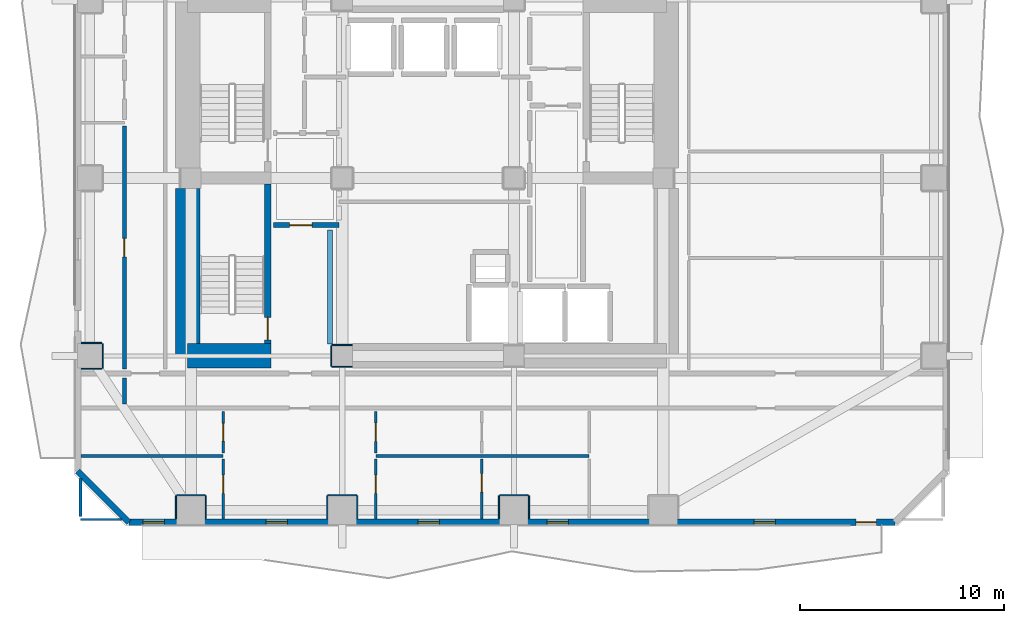
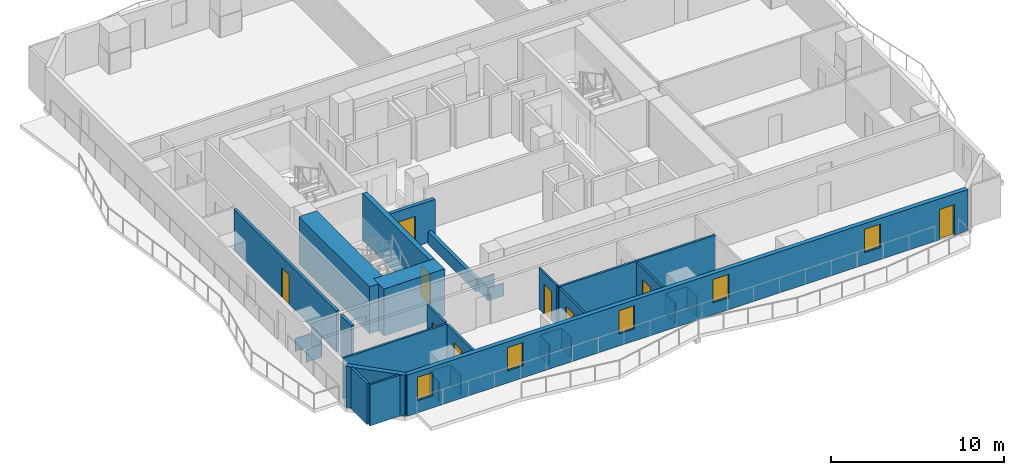
# One storey, part 2 of 10: 33 walls, 9 doors, 5 windows, 14 openings.
"""IFC4 building model written with IfcOpenShell, lengths in metres."""

from ifc_helpers import new_model, si_unit, direction, frame, frame_2d, origin, place, context, subcontext, project, spatial, rectangle, extrude, material, layer, layer_set, type_object, element, fill, save


model = new_model("IFC4")

# Units and contexts
model_context = context("Model", 3, precision=1e-05, world=origin(), true_north=direction((0.0, 1.0)))
body_context = subcontext(model_context, "Body", "Model", "MODEL_VIEW")
ifc_project = project(units=[si_unit("LENGTHUNIT", "METRE"), si_unit("AREAUNIT", "SQUARE_METRE"), si_unit("VOLUMEUNIT", "CUBIC_METRE"), si_unit("PLANEANGLEUNIT", "RADIAN"), si_unit("MASSUNIT", "GRAM", prefix="KILO")], contexts=[model_context])

# Site, building, storey
site_placement = place(None, origin())
site = spatial("IfcSite", under=ifc_project, at=site_placement, CompositionType="ELEMENT")
building_placement = place(site_placement, origin())
building = spatial("IfcBuilding", under=site, at=building_placement, Name="Solanera Arch Residences", CompositionType="ELEMENT")
storey_placement = place(building_placement, frame((0.0, 0.0, 78.43994140625)))
storey = spatial("IfcBuildingStorey", under=building, at=storey_placement, Name="L22", CompositionType="ELEMENT", Elevation=78.43994140625)

# Walls
ifc_material_1 = material(Name="Fire-Rated Gypsum Stud Partition", Category="gypsum")
ifc_layer_1 = layer(ifc_material_1, 0.06005859375)
ifc_layer_set_1 = layer_set([ifc_layer_1], Name="Fire-Rated Gypsum Stud Partition")
wall_type_1 = type_object("IfcWallType", Name="Column Acoustic Furring Wall 60", PredefinedType="PARTITIONING", material=ifc_layer_set_1)
for number, where, z_axis, x_axis, name in (
    (1, (20.300048828125, 21.468017578125, 0.0), (0.0, 0.0, 1.0), (1.0, 0.0, 0.0), "L22 Column Furring 1S"),
    (2, (20.300048828125, 22.531982421875, 0.0), (0.0, 0.0, 1.0), (1.0, 0.0, 0.0), "L22 Column Furring 1N"),
):
    element("IfcWall", number, at=place(storey_placement, frame(where, z_axis=z_axis, x_axis=x_axis)), inside=storey, type_object=wall_type_1, Name=name, PredefinedType="PARTITIONING", context=body_context, shape_type="SweptSolid", body=[
        extrude(rectangle(XDim=0.989990234375, YDim=0.06005859375, at=frame_2d((0.4951171875, 0.0))), origin(), (0.0, 0.0, 1.0), 0.905029296875),
    ])
wall_1_placement = place(storey_placement, frame((20.26806640625, 21.5, 0.0), z_axis=(0.0, 0.0, 1.0), x_axis=(0.0, 1.0, 0.0)))
element("IfcWall", 3, at=wall_1_placement, inside=storey, type_object=wall_type_1, Name="L22 Column Furring 1W", PredefinedType="PARTITIONING", context=body_context, shape_type="SweptSolid", body=[
    extrude(rectangle(XDim=1.0, YDim=0.06005859375, at=frame_2d((0.5, 0.0))), origin(), (0.0, 0.0, 1.0), 0.905029296875),
])
wall_2_placement = place(storey_placement, frame((12.699951171875, 15.181884765625, 0.0), z_axis=(0.0, 0.0, 1.0), x_axis=(1.0, 0.0, 0.0)))
element("IfcWall", 4, at=wall_2_placement, inside=storey, type_object=wall_type_1, Name="L22 Column Furring 9N", PredefinedType="PARTITIONING", context=body_context, shape_type="SweptSolid", body=[
    extrude(rectangle(XDim=1.400146484375, YDim=0.06005859375, at=frame_2d((0.7001953125, 0.0))), origin(), (0.0, 0.0, 1.0), 1.449951171875),
])
for number, where, z_axis, x_axis, name in (
    (5, (12.66796875, 14.030029296875, 0.0), (0.0, 0.0, 1.0), (0.0, 1.0, 0.0), "L22 Column Furring 9W"),
    (6, (14.132080078125, 14.030029296875, 0.0), (0.0, 0.0, 1.0), (0.0, 1.0, 0.0), "L22 Column Furring 9E"),
):
    element("IfcWall", number, at=place(storey_placement, frame(where, z_axis=z_axis, x_axis=x_axis)), inside=storey, type_object=wall_type_1, Name=name, PredefinedType="PARTITIONING", context=body_context, shape_type="SweptSolid", body=[
        extrude(rectangle(XDim=1.119873046875, YDim=0.06005859375, at=frame_2d((0.56005859375, 0.0))), origin(), (0.0, 0.0, 1.0), 1.449951171875),
    ])
wall_3_placement = place(storey_placement, frame((20.10009765625, 15.181884765625, 0.0), z_axis=(0.0, 0.0, 1.0), x_axis=(1.0, 0.0, 0.0)))
element("IfcWall", 7, at=wall_3_placement, inside=storey, type_object=wall_type_1, Name="L22 Column Furring 11N", PredefinedType="PARTITIONING", context=body_context, shape_type="SweptSolid", body=[
    extrude(rectangle(XDim=1.39990234375, YDim=0.06005859375, at=frame_2d((0.699951171875, 0.0))), origin(), (0.0, 0.0, 1.0), 1.449951171875),
])
for number, where, z_axis, x_axis, name in (
    (8, (20.068115234375, 14.030029296875, 0.0), (0.0, 0.0, 1.0), (0.0, 1.0, 0.0), "L22 Column Furring 11W"),
    (9, (21.531982421875, 14.030029296875, 0.0), (0.0, 0.0, 1.0), (0.0, 1.0, 0.0), "L22 Column Furring 11E"),
):
    element("IfcWall", number, at=place(storey_placement, frame(where, z_axis=z_axis, x_axis=x_axis)), inside=storey, type_object=wall_type_1, Name=name, PredefinedType="PARTITIONING", context=body_context, shape_type="SweptSolid", body=[
        extrude(rectangle(XDim=1.119873046875, YDim=0.06005859375, at=frame_2d((0.56005859375, 0.0))), origin(), (0.0, 0.0, 1.0), 1.449951171875),
    ])
wall_4_placement = place(storey_placement, frame((28.5, 15.181884765625, 0.0), z_axis=(0.0, 0.0, 1.0), x_axis=(1.0, 0.0, 0.0)))
element("IfcWall", 10, at=wall_4_placement, inside=storey, type_object=wall_type_1, Name="L22 Column Furring 13N", PredefinedType="PARTITIONING", context=body_context, shape_type="SweptSolid", body=[
    extrude(rectangle(XDim=1.39990234375, YDim=0.06005859375, at=frame_2d((0.699951171875, 0.0))), origin(), (0.0, 0.0, 1.0), 1.449951171875),
])
for number, where, z_axis, x_axis, name in (
    (11, (28.468017578125, 14.030029296875, 0.0), (0.0, 0.0, 1.0), (0.0, 1.0, 0.0), "L22 Column Furring 13W"),
    (12, (29.931884765625, 14.030029296875, 0.0), (0.0, 0.0, 1.0), (0.0, 1.0, 0.0), "L22 Column Furring 13E"),
):
    element("IfcWall", number, at=place(storey_placement, frame(where, z_axis=z_axis, x_axis=x_axis)), inside=storey, type_object=wall_type_1, Name=name, PredefinedType="PARTITIONING", context=body_context, shape_type="SweptSolid", body=[
        extrude(rectangle(XDim=1.119873046875, YDim=0.06005859375, at=frame_2d((0.56005859375, 0.0))), origin(), (0.0, 0.0, 1.0), 1.449951171875),
    ])
for number, where, z_axis, x_axis, name in (
    (13, (8.030029296875, 21.367919921875, 0.0), (0.0, 0.0, 1.0), (1.0, 0.0, 0.0), "L22 Column Furring 17S"),
    (14, (8.030029296875, 22.632080078125, 0.0), (0.0, 0.0, 1.0), (1.0, 0.0, 0.0), "L22 Column Furring 17N"),
):
    element("IfcWall", number, at=place(storey_placement, frame(where, z_axis=z_axis, x_axis=x_axis)), inside=storey, type_object=wall_type_1, Name=name, PredefinedType="PARTITIONING", context=body_context, shape_type="SweptSolid", body=[
        extrude(rectangle(XDim=1.02001953125, YDim=0.06005859375, at=frame_2d((0.510009765625, 0.0))), origin(), (0.0, 0.0, 1.0), 0.905029296875),
    ])
wall_5_placement = place(storey_placement, frame((9.08203125, 21.39990234375, 0.0), z_axis=(0.0, 0.0, 1.0), x_axis=(0.0, 1.0, 0.0)))
element("IfcWall", 15, at=wall_5_placement, inside=storey, type_object=wall_type_1, Name="L22 Column Furring 17E", PredefinedType="PARTITIONING", context=body_context, shape_type="SweptSolid", body=[
    extrude(rectangle(XDim=1.2001953125, YDim=0.06005859375, at=frame_2d((0.60009765625, 0.0))), origin(), (0.0, 0.0, 1.0), 1.449951171875),
])
ifc_material_2 = material(Name="Concrete C55/67 (f'c = 60 MPa)", Category="concrete")
ifc_layer_2 = layer(ifc_material_2, 1.199951171875)
ifc_layer_set_2 = layer_set([ifc_layer_2], Name="Concrete C55/67 (f'c = 60 MPa)")
wall_type_2 = type_object("IfcWallType", Name="Core Shear Wall CW-1200", PredefinedType="SHEAR", material=ifc_layer_set_2)
wall_6_placement = place(storey_placement, frame((13.239990234375, 22.0, 0.0), z_axis=(0.0, 0.0, 1.0), x_axis=(0.0, 1.0, 0.0)))
element("IfcWall", 16, at=wall_6_placement, inside=storey, type_object=wall_type_2, Name="L22 West Core South Shear Wall", PredefinedType="SHEAR", context=body_context, shape_type="SweptSolid", body=[
    extrude(rectangle(XDim=8.195068359375, YDim=1.199951171875, at=frame_2d((4.09765625, 0.0))), origin(), (0.0, 0.0, 1.0), 3.320068359375),
])
wall_7_placement = place(storey_placement, frame((13.239990234375, 22.0, 0.0), z_axis=(0.0, 0.0, 1.0), x_axis=(1.0, 0.0, 0.0)))
element("IfcWall", 17, at=wall_7_placement, inside=storey, type_object=wall_type_2, Name="L22 South-West Core Shear Wall", PredefinedType="SHEAR", context=body_context, shape_type="SweptSolid", body=[
    extrude(rectangle(XDim=4.080078125, YDim=1.199951171875, at=frame_2d((2.0400390625, 0.0))), origin(), (0.0, 0.0, 1.0), 3.320068359375),
])

# Wall, opening, door
ifc_material_3 = material(Name="Concrete C40/50 (f'c = 45 MPa)", Category="concrete")
ifc_layer_3 = layer(ifc_material_3, 0.320068359375)
ifc_layer_set_3 = layer_set([ifc_layer_3], Name="Concrete C40/50 (f'c = 45 MPa)")
wall_type_3 = type_object("IfcWallType", Name="Core Shear Wall CW-320", PredefinedType="SHEAR", material=ifc_layer_set_3)
wall_8_placement = place(storey_placement, frame((17.159912109375, 22.60009765625, 0.0), z_axis=(0.0, 0.0, 1.0), x_axis=(0.0, 1.0, 0.0)))
wall_8 = element("IfcWall", 18, at=wall_8_placement, inside=storey, type_object=wall_type_3, Name="L22 Stair ST-T3 East Shear Wall", PredefinedType="SHEAR", context=body_context, shape_type="SweptSolid", body=[
    extrude(rectangle(XDim=7.7998046875, YDim=0.320068359375, at=frame_2d((3.89990234375, 0.0))), origin(), (0.0, 0.0, 1.0), 3.320068359375),
])
opening_1_placement = place(wall_8_placement, frame((0.18994140625, 0.0, 0.0)))
opening_1 = element("IfcOpeningElement", 19, at=opening_1_placement, cuts=wall_8, Name="Opening DF-01", PredefinedType="OPENING", context=body_context, shape_type="SweptSolid", body=[
    extrude(rectangle(XDim=1.10009765625, YDim=2.14990234375, at=frame_2d((0.550048828125, 1.074951171875))), frame((0.0, 0.169921875, 0.0), z_axis=(0.0, -1.0, 0.0), x_axis=(1.0, 0.0, 0.0)), (0.0, 0.0, 1.0), 0.3401),
])
ifc_material_4 = material(Name="Fire-Rated Architectural Hardwood", Category="wood")
door_type_1 = type_object("IfcDoorType", Name="Stair Exit Fire Door DF-01", OperationType="NOTDEFINED", PredefinedType="DOOR", material=ifc_material_4)
door_1_placement = place(opening_1_placement, origin())
door_1 = element("IfcDoor", 20, at=door_1_placement, inside=storey, type_object=door_type_1, Name="DR-L22-STAIR-ST-T3", OperationType="SINGLE_SWING_LEFT", OverallHeight=2.14990234375, OverallWidth=1.10009765625, PredefinedType="DOOR", context=body_context, shape_type="SweptSolid", body=[
    extrude(rectangle(XDim=1.10009765625, YDim=2.14990234375, at=frame_2d((0.550048828125, 1.074951171875))), frame((0.0, 0.02490234375, 0.0), z_axis=(0.0, -1.0, 0.0), x_axis=(1.0, 0.0, 0.0)), (0.0, 0.0, 1.0), 0.050048828125),
])
fill(opening_1, door_1)

# Wall
ifc_material_5 = material(Name="Autoclaved Aerated Concrete Blockwork", Category="masonry")
ifc_layer_4 = layer(ifc_material_5, 0.179931640625)
ifc_layer_set_4 = layer_set([ifc_layer_4], Name="Autoclaved Aerated Concrete Blockwork")
wall_type_4 = type_object("IfcWallType", Name="Corridor Fire Partition 180", PredefinedType="PARTITIONING", material=ifc_layer_set_4)
wall_9_placement = place(storey_placement, frame((10.14990234375, 19.637939453125, 0.0), z_axis=(0.0, 0.0, 1.0), x_axis=(0.0, 1.0, 0.0)))
element("IfcWall", 21, at=wall_9_placement, inside=storey, type_object=wall_type_4, Name="L22 Interior Partition V7 1", PredefinedType="PARTITIONING", context=body_context, shape_type="SweptSolid", body=[
    extrude(rectangle(XDim=1.2939453125, YDim=0.179931640625, at=frame_2d((0.64697265625, 0.0))), origin(), (0.0, 0.0, 1.0), 2.900146484375),
])

# Wall, opening, door
wall_10_placement = place(storey_placement, frame((10.14990234375, 21.367919921875, 0.0), z_axis=(0.0, 0.0, 1.0), x_axis=(0.0, 1.0, 0.0)))
wall_10 = element("IfcWall", 22, at=wall_10_placement, inside=storey, type_object=wall_type_4, Name="L22 Interior Partition V7 2", PredefinedType="PARTITIONING", context=body_context, shape_type="SweptSolid", body=[
    extrude(rectangle(XDim=11.8740234375, YDim=0.179931640625, at=frame_2d((5.93701171875, 0.0))), origin(), (0.0, 0.0, 1.0), 2.900146484375),
])
opening_2_placement = place(wall_10_placement, frame((5.48095703125, 0.0, 0.0)))
opening_2 = element("IfcOpeningElement", 23, at=opening_2_placement, cuts=wall_10, Name="Opening DI-02", PredefinedType="OPENING", context=body_context, shape_type="SweptSolid", body=[
    extrude(rectangle(XDim=0.89990234375, YDim=2.10009765625, at=frame_2d((0.449951171875, 1.050048828125))), frame((0.0, 0.10009765625, 0.0), z_axis=(0.0, -1.0, 0.0), x_axis=(1.0, 0.0, 0.0)), (0.0, 0.0, 1.0), 0.1999),
])
ifc_material_6 = material(Name="Fire-Rated Architectural Hardwood", Category="wood")
door_type_2 = type_object("IfcDoorType", Name="Suite Room Swing Door DI-02", OperationType="NOTDEFINED", PredefinedType="DOOR", material=ifc_material_6)
door_2_placement = place(opening_2_placement, origin())
door_2 = element("IfcDoor", 24, at=door_2_placement, inside=storey, type_object=door_type_2, Name="DR-L22-IN-030", OperationType="SINGLE_SWING_RIGHT", OverallHeight=2.10009765625, OverallWidth=0.89990234375, PredefinedType="DOOR", context=body_context, shape_type="SweptSolid", body=[
    extrude(rectangle(XDim=0.89990234375, YDim=2.10009765625, at=frame_2d((0.449951171875, 1.050048828125))), frame((0.0, 0.02490234375, 0.0), z_axis=(0.0, -1.0, 0.0), x_axis=(1.0, 0.0, 0.0)), (0.0, 0.0, 1.0), 0.050048828125),
])
fill(opening_2, door_2)

# Wall, openings, door, windows
ifc_material_7 = material(Name="Precast Concrete C35/45", Category="concrete")
ifc_layer_5 = layer(ifc_material_7, 0.300048828125)
ifc_layer_set_5 = layer_set([ifc_layer_5], Name="Precast Concrete C35/45")
wall_type_5 = type_object("IfcWallType", Name="Exterior Wall Precast Masonry-Frame 300", PredefinedType="STANDARD", material=ifc_layer_set_5)
wall_11_placement = place(storey_placement, frame((47.8349609375, 13.864990234375, 0.0), z_axis=(0.0, 0.0, 1.0), x_axis=(-1.0, 0.0, 0.0)))
wall_11 = element("IfcWall", 25, at=wall_11_placement, inside=storey, type_object=wall_type_5, Name="L22 Tower Exterior Precast Masonry-Frame Wall S", PredefinedType="STANDARD", context=body_context, shape_type="SweptSolid", body=[
    extrude(rectangle(XDim=37.469970703125, YDim=0.300048828125, at=frame_2d((18.73486328125, 0.0))), origin(), (0.0, 0.0, 1.0), 2.900146484375),
])
opening_3_placement = place(wall_11_placement, frame((0.90087890625, 0.0, 0.0)))
opening_3 = element("IfcOpeningElement", 26, at=opening_3_placement, cuts=wall_11, Name="Opening DB-01", PredefinedType="OPENING", context=body_context, shape_type="SweptSolid", body=[
    extrude(rectangle(XDim=1.0, YDim=2.14990234375, at=frame_2d((0.5, 1.074951171875))), frame((0.0, 0.159912109375, 0.0), z_axis=(0.0, -1.0, 0.0), x_axis=(1.0, 0.0, 0.0)), (0.0, 0.0, 1.0), 0.32),
])
opening_4_placement = place(wall_11_placement, frame((29.719970703125, 0.0, 0.85009765625)))
opening_4 = element("IfcOpeningElement", 27, at=opening_4_placement, cuts=wall_11, Name="Opening W-07", PredefinedType="OPENING", context=body_context, shape_type="SweptSolid", body=[
    extrude(rectangle(XDim=1.050048828125, YDim=1.64990234375, at=frame_2d((0.52490234375, 0.824951171875))), frame((0.0, 0.159912109375, 0.0), z_axis=(0.0, -1.0, 0.0), x_axis=(1.0, 0.0, 0.0)), (0.0, 0.0, 1.0), 0.32),
])
opening_5_placement = place(wall_11_placement, frame((35.73291015625, 0.0, 0.85009765625)))
opening_5 = element("IfcOpeningElement", 28, at=opening_5_placement, cuts=wall_11, Name="Opening W-07", PredefinedType="OPENING", context=body_context, shape_type="SweptSolid", body=[
    extrude(rectangle(XDim=1.050048828125, YDim=1.64990234375, at=frame_2d((0.52490234375, 0.824951171875))), frame((0.0, 0.159912109375, 0.0), z_axis=(0.0, -1.0, 0.0), x_axis=(1.0, 0.0, 0.0)), (0.0, 0.0, 1.0), 0.32),
])
opening_6_placement = place(wall_11_placement, frame((22.278076171875, 0.0, 0.85009765625)))
opening_6 = element("IfcOpeningElement", 29, at=opening_6_placement, cuts=wall_11, Name="Opening W-07", PredefinedType="OPENING", context=body_context, shape_type="SweptSolid", body=[
    extrude(rectangle(XDim=1.050048828125, YDim=1.64990234375, at=frame_2d((0.52490234375, 0.824951171875))), frame((0.0, 0.159912109375, 0.0), z_axis=(0.0, -1.0, 0.0), x_axis=(1.0, 0.0, 0.0)), (0.0, 0.0, 1.0), 0.32),
])
opening_7_placement = place(wall_11_placement, frame((15.969970703125, 0.0, 0.85009765625)))
opening_7 = element("IfcOpeningElement", 30, at=opening_7_placement, cuts=wall_11, Name="Opening W-07", PredefinedType="OPENING", context=body_context, shape_type="SweptSolid", body=[
    extrude(rectangle(XDim=1.050048828125, YDim=1.64990234375, at=frame_2d((0.52490234375, 0.824951171875))), frame((0.0, 0.159912109375, 0.0), z_axis=(0.0, -1.0, 0.0), x_axis=(1.0, 0.0, 0.0)), (0.0, 0.0, 1.0), 0.32),
])
opening_8_placement = place(wall_11_placement, frame((5.843017578125, 0.0, 0.85009765625)))
opening_8 = element("IfcOpeningElement", 31, at=opening_8_placement, cuts=wall_11, Name="Opening W-07", PredefinedType="OPENING", context=body_context, shape_type="SweptSolid", body=[
    extrude(rectangle(XDim=1.050048828125, YDim=1.64990234375, at=frame_2d((0.52490234375, 0.824951171875))), frame((0.0, 0.159912109375, 0.0), z_axis=(0.0, -1.0, 0.0), x_axis=(1.0, 0.0, 0.0)), (0.0, 0.0, 1.0), 0.32),
])
ifc_material_8 = material(Name="Anodised Aluminium Alloy 6063-T6", Category="aluminium")
door_type_3 = type_object("IfcDoorType", Name="Glazed Balcony Swing Door DB-01", OperationType="NOTDEFINED", PredefinedType="DOOR", material=ifc_material_8)
door_3_placement = place(opening_3_placement, origin())
door_3 = element("IfcDoor", 32, at=door_3_placement, inside=storey, type_object=door_type_3, Name="DR-L22-OUT-01", OperationType="SINGLE_SWING_RIGHT", OverallHeight=2.14990234375, OverallWidth=1.0, PredefinedType="DOOR", context=body_context, shape_type="SweptSolid", body=[
    extrude(rectangle(XDim=1.0, YDim=2.14990234375, at=frame_2d((0.5, 1.074951171875))), frame((0.0, 0.02490234375, 0.0), z_axis=(0.0, -1.0, 0.0), x_axis=(1.0, 0.0, 0.0)), (0.0, 0.0, 1.0), 0.050048828125),
])
fill(opening_3, door_3)
ifc_material_9 = material(Name="Double Glazed Low-E Laminated Glass", Category="glass")
window_type = type_object("IfcWindowType", Name="Punched Window W-07", PartitioningType="SINGLE_PANEL", PredefinedType="WINDOW", material=ifc_material_9)
window_1_placement = place(opening_4_placement, origin())
window_1 = element("IfcWindow", 33, at=window_1_placement, inside=storey, type_object=window_type, Name="L22 2201-LIV Punched Window", OverallHeight=1.64990234375, OverallWidth=1.050048828125, PartitioningType="SINGLE_PANEL", PredefinedType="WINDOW", context=body_context, shape_type="SweptSolid", body=[
    extrude(rectangle(XDim=1.050048828125, YDim=1.64990234375, at=frame_2d((0.52490234375, 0.824951171875))), frame((0.0, 0.030029296875, 0.0), z_axis=(0.0, -1.0, 0.0), x_axis=(1.0, 0.0, 0.0)), (0.0, 0.0, 1.0), 0.06005859375),
])
fill(opening_4, window_1)
window_2_placement = place(opening_5_placement, origin())
window_2 = element("IfcWindow", 34, at=window_2_placement, inside=storey, type_object=window_type, Name="L22 2201-BR1 Punched Window", OverallHeight=1.64990234375, OverallWidth=1.050048828125, PartitioningType="SINGLE_PANEL", PredefinedType="WINDOW", context=body_context, shape_type="SweptSolid", body=[
    extrude(rectangle(XDim=1.050048828125, YDim=1.64990234375, at=frame_2d((0.52490234375, 0.824951171875))), frame((0.0, 0.030029296875, 0.0), z_axis=(0.0, -1.0, 0.0), x_axis=(1.0, 0.0, 0.0)), (0.0, 0.0, 1.0), 0.06005859375),
])
fill(opening_5, window_2)
window_3_placement = place(opening_6_placement, origin())
window_3 = element("IfcWindow", 35, at=window_3_placement, inside=storey, type_object=window_type, Name="L22 2201-BR2 Punched Window", OverallHeight=1.64990234375, OverallWidth=1.050048828125, PartitioningType="SINGLE_PANEL", PredefinedType="WINDOW", context=body_context, shape_type="SweptSolid", body=[
    extrude(rectangle(XDim=1.050048828125, YDim=1.64990234375, at=frame_2d((0.52490234375, 0.824951171875))), frame((0.0, 0.030029296875, 0.0), z_axis=(0.0, -1.0, 0.0), x_axis=(1.0, 0.0, 0.0)), (0.0, 0.0, 1.0), 0.06005859375),
])
fill(opening_6, window_3)
window_4_placement = place(opening_7_placement, origin())
window_4 = element("IfcWindow", 36, at=window_4_placement, inside=storey, type_object=window_type, Name="L22 2201-BR3 Punched Window", OverallHeight=1.64990234375, OverallWidth=1.050048828125, PartitioningType="SINGLE_PANEL", PredefinedType="WINDOW", context=body_context, shape_type="SweptSolid", body=[
    extrude(rectangle(XDim=1.050048828125, YDim=1.64990234375, at=frame_2d((0.52490234375, 0.824951171875))), frame((0.0, 0.030029296875, 0.0), z_axis=(0.0, -1.0, 0.0), x_axis=(1.0, 0.0, 0.0)), (0.0, 0.0, 1.0), 0.06005859375),
])
fill(opening_7, window_4)
window_5_placement = place(opening_8_placement, origin())
window_5 = element("IfcWindow", 37, at=window_5_placement, inside=storey, type_object=window_type, Name="L22 AMN-LNG Punched Window", OverallHeight=1.64990234375, OverallWidth=1.050048828125, PartitioningType="SINGLE_PANEL", PredefinedType="WINDOW", context=body_context, shape_type="SweptSolid", body=[
    extrude(rectangle(XDim=1.050048828125, YDim=1.64990234375, at=frame_2d((0.52490234375, 0.824951171875))), frame((0.0, 0.030029296875, 0.0), z_axis=(0.0, -1.0, 0.0), x_axis=(1.0, 0.0, 0.0)), (0.0, 0.0, 1.0), 0.06005859375),
])
fill(opening_8, window_5)

# Wall
wall_12_placement = place(storey_placement, frame((10.364990234375, 13.864990234375, 0.0), z_axis=(0.0, 0.0, 1.0), x_axis=(-0.707106781187, 0.707106781187, 0.0)))
element("IfcWall", 38, at=wall_12_placement, inside=storey, type_object=wall_type_5, Name="L22 Tower Exterior Precast Masonry-Frame Wall CH7", PredefinedType="STANDARD", context=body_context, shape_type="SweptSolid", body=[
    extrude(rectangle(XDim=3.53564453125, YDim=0.300048828125, at=frame_2d((1.767822265625, 0.0))), origin(), (0.0, 0.0, 1.0), 2.900146484375),
])

# Wall, opening, door
ifc_material_10 = material(Name="Autoclaved Aerated Concrete Blockwork", Category="masonry")
ifc_layer_6 = layer(ifc_material_10, 0.239990234375)
ifc_layer_set_6 = layer_set([ifc_layer_6], Name="Autoclaved Aerated Concrete Blockwork")
wall_type_6 = type_object("IfcWallType", Name="Shaft Wall Fire-Rated 240", PredefinedType="PARTITIONING", material=ifc_layer_set_6)
wall_13_placement = place(storey_placement, frame((17.449951171875, 28.39990234375, 0.0), z_axis=(0.0, 0.0, 1.0), x_axis=(1.0, 0.0, 0.0)))
wall_13 = element("IfcWall", 39, at=wall_13_placement, inside=storey, type_object=wall_type_6, Name="L22 Interior Partition H3", PredefinedType="PARTITIONING", context=body_context, shape_type="SweptSolid", body=[
    extrude(rectangle(XDim=3.199951171875, YDim=0.239990234375, at=frame_2d((1.60009765625, 0.0))), origin(), (0.0, 0.0, 1.0), 2.900146484375),
])
opening_9_placement = place(wall_13_placement, frame((0.783935546875, 0.0, 0.0)))
opening_9 = element("IfcOpeningElement", 40, at=opening_9_placement, cuts=wall_13, Name="Opening DF-02", PredefinedType="OPENING", context=body_context, shape_type="SweptSolid", body=[
    extrude(rectangle(XDim=1.10009765625, YDim=2.14990234375, at=frame_2d((0.550048828125, 1.074951171875))), frame((0.0, 0.1298828125, 0.0), z_axis=(0.0, -1.0, 0.0), x_axis=(1.0, 0.0, 0.0)), (0.0, 0.0, 1.0), 0.26),
])
ifc_material_11 = material(Name="Fire-Rated Architectural Hardwood", Category="wood")
door_type_4 = type_object("IfcDoorType", Name="Firefighting Lobby Fire Door DF-02", OperationType="NOTDEFINED", PredefinedType="DOOR", material=ifc_material_11)
door_4_placement = place(opening_9_placement, origin())
door_4 = element("IfcDoor", 41, at=door_4_placement, inside=storey, type_object=door_type_4, Name="DR-L22-IN-004", OperationType="SINGLE_SWING_RIGHT", OverallHeight=2.14990234375, OverallWidth=1.10009765625, PredefinedType="DOOR", context=body_context, shape_type="SweptSolid", body=[
    extrude(rectangle(XDim=1.10009765625, YDim=2.14990234375, at=frame_2d((0.550048828125, 1.074951171875))), frame((0.0, 0.02490234375, 0.0), z_axis=(0.0, -1.0, 0.0), x_axis=(1.0, 0.0, 0.0)), (0.0, 0.0, 1.0), 0.050048828125),
])
fill(opening_9, door_4)

# Walls
wall_14_placement = place(storey_placement, frame((20.199951171875, 22.5859375, 0.0), z_axis=(0.0, 0.0, 1.0), x_axis=(0.0, 1.0, 0.0)))
element("IfcWall", 42, at=wall_14_placement, inside=storey, type_object=wall_type_6, Name="L22 Interior Partition V2", PredefinedType="PARTITIONING", context=body_context, shape_type="SweptSolid", body=[
    extrude(rectangle(XDim=5.566162109375, YDim=0.239990234375, at=frame_2d((2.783203125, 0.0))), origin(), (0.0, 0.0, 1.0), 0.905029296875),
])
ifc_material_12 = material(Name="Fire-Rated Gypsum Stud Partition", Category="gypsum")
ifc_layer_7 = layer(ifc_material_12, 0.1201171875)
ifc_layer_set_7 = layer_set([ifc_layer_7], Name="Fire-Rated Gypsum Stud Partition")
wall_type_7 = type_object("IfcWallType", Name="Unit Drywall Partition 120", PredefinedType="PARTITIONING", material=ifc_layer_set_7)
wall_15_placement = place(storey_placement, frame((8.0, 14.0, 0.0), z_axis=(0.0, 0.0, 1.0), x_axis=(1.0, 0.0, 0.0)))
element("IfcWall", 43, at=wall_15_placement, inside=storey, type_object=wall_type_7, Name="L22 Interior Partition H21 1", PredefinedType="PARTITIONING", context=body_context, shape_type="SweptSolid", body=[
    extrude(rectangle(XDim=2.0009765625, YDim=0.1201171875, at=frame_2d((1.00048828125, 0.0))), origin(), (0.0, 0.0, 1.0), 2.900146484375),
])

# Wall, opening, door
wall_16_placement = place(storey_placement, frame((22.444091796875, 14.027099609375, 0.0), z_axis=(0.0, 0.0, 1.0), x_axis=(0.0, 1.0, 0.0)))
wall_16 = element("IfcWall", 44, at=wall_16_placement, inside=storey, type_object=wall_type_7, Name="L22 Interior Partition V17 1", PredefinedType="PARTITIONING", context=body_context, shape_type="SweptSolid", body=[
    extrude(rectangle(XDim=2.94189453125, YDim=0.1201171875, at=frame_2d((1.470947265625, 0.0))), origin(), (0.0, 0.0, 1.0), 2.900146484375),
])
opening_10_placement = place(wall_16_placement, frame((1.2490234375, 0.0, 0.0)))
opening_10 = element("IfcOpeningElement", 45, at=opening_10_placement, cuts=wall_16, Name="Opening DI-03", PredefinedType="OPENING", context=body_context, shape_type="SweptSolid", body=[
    extrude(rectangle(XDim=0.89990234375, YDim=2.10009765625, at=frame_2d((0.449951171875, 1.050048828125))), frame((0.0, 0.070068359375, 0.0), z_axis=(0.0, -1.0, 0.0), x_axis=(1.0, 0.0, 0.0)), (0.0, 0.0, 1.0), 0.1401),
])
ifc_material_13 = material(Name="Fire-Rated Architectural Hardwood", Category="wood")
door_type_5 = type_object("IfcDoorType", Name="Bedroom Swing Door DI-03", OperationType="NOTDEFINED", PredefinedType="DOOR", material=ifc_material_13)
door_5_placement = place(opening_10_placement, origin())
door_5 = element("IfcDoor", 46, at=door_5_placement, inside=storey, type_object=door_type_5, Name="DR-L22-IN-020", OperationType="SINGLE_SWING_RIGHT", OverallHeight=2.10009765625, OverallWidth=0.89990234375, PredefinedType="DOOR", context=body_context, shape_type="SweptSolid", body=[
    extrude(rectangle(XDim=0.89990234375, YDim=2.10009765625, at=frame_2d((0.449951171875, 1.050048828125))), frame((0.0, 0.02490234375, 0.0), z_axis=(0.0, -1.0, 0.0), x_axis=(1.0, 0.0, 0.0)), (0.0, 0.0, 1.0), 0.050048828125),
])
fill(opening_10, door_5)

wall_17_placement = place(storey_placement, frame((22.444091796875, 17.2451171875, 0.0), z_axis=(0.0, 0.0, 1.0), x_axis=(0.0, 1.0, 0.0)))
wall_17 = element("IfcWall", 47, at=wall_17_placement, inside=storey, type_object=wall_type_7, Name="L22 Interior Partition V17 2", PredefinedType="PARTITIONING", context=body_context, shape_type="SweptSolid", body=[
    extrude(rectangle(XDim=2.046875, YDim=0.1201171875, at=frame_2d((1.0234375, 0.0))), origin(), (0.0, 0.0, 1.0), 2.900146484375),
])
opening_11_placement = place(wall_17_placement, frame((0.571044921875, 0.0, 0.0)))
opening_11 = element("IfcOpeningElement", 48, at=opening_11_placement, cuts=wall_17, Name="Opening DI-02", PredefinedType="OPENING", context=body_context, shape_type="SweptSolid", body=[
    extrude(rectangle(XDim=0.89990234375, YDim=2.10009765625, at=frame_2d((0.449951171875, 1.050048828125))), frame((0.0, 0.070068359375, 0.0), z_axis=(0.0, -1.0, 0.0), x_axis=(1.0, 0.0, 0.0)), (0.0, 0.0, 1.0), 0.1401),
])
door_6_placement = place(opening_11_placement, origin())
door_6 = element("IfcDoor", 49, at=door_6_placement, inside=storey, type_object=door_type_2, Name="DR-L22-IN-018", OperationType="SINGLE_SWING_RIGHT", OverallHeight=2.10009765625, OverallWidth=0.89990234375, PredefinedType="DOOR", context=body_context, shape_type="SweptSolid", body=[
    extrude(rectangle(XDim=0.89990234375, YDim=2.10009765625, at=frame_2d((0.449951171875, 1.050048828125))), frame((0.0, 0.02490234375, 0.0), z_axis=(0.0, -1.0, 0.0), x_axis=(1.0, 0.0, 0.0)), (0.0, 0.0, 1.0), 0.050048828125),
])
fill(opening_11, door_6)

wall_18_placement = place(storey_placement, frame((27.6201171875, 14.027099609375, 0.0), z_axis=(0.0, 0.0, 1.0), x_axis=(0.0, 1.0, 0.0)))
wall_18 = element("IfcWall", 50, at=wall_18_placement, inside=storey, type_object=wall_type_7, Name="L22 Interior Partition V19 1", PredefinedType="PARTITIONING", context=body_context, shape_type="SweptSolid", body=[
    extrude(rectangle(XDim=2.94189453125, YDim=0.1201171875, at=frame_2d((1.470947265625, 0.0))), origin(), (0.0, 0.0, 1.0), 2.900146484375),
])
opening_12_placement = place(wall_18_placement, frame((1.31689453125, 0.0, 0.0)))
opening_12 = element("IfcOpeningElement", 51, at=opening_12_placement, cuts=wall_18, Name="Opening DI-03", PredefinedType="OPENING", context=body_context, shape_type="SweptSolid", body=[
    extrude(rectangle(XDim=0.89990234375, YDim=2.10009765625, at=frame_2d((0.449951171875, 1.050048828125))), frame((0.0, 0.070068359375, 0.0), z_axis=(0.0, -1.0, 0.0), x_axis=(1.0, 0.0, 0.0)), (0.0, 0.0, 1.0), 0.1401),
])
door_7_placement = place(opening_12_placement, origin())
door_7 = element("IfcDoor", 52, at=door_7_placement, inside=storey, type_object=door_type_5, Name="DR-L22-IN-021", OperationType="SINGLE_SWING_LEFT", OverallHeight=2.10009765625, OverallWidth=0.89990234375, PredefinedType="DOOR", context=body_context, shape_type="SweptSolid", body=[
    extrude(rectangle(XDim=0.89990234375, YDim=2.10009765625, at=frame_2d((0.449951171875, 1.050048828125))), frame((0.0, 0.02490234375, 0.0), z_axis=(0.0, -1.0, 0.0), x_axis=(1.0, 0.0, 0.0)), (0.0, 0.0, 1.0), 0.050048828125),
])
fill(opening_12, door_7)

# Walls
ifc_material_14 = material(Name="Autoclaved Aerated Concrete Blockwork", Category="masonry")
ifc_layer_8 = layer(ifc_material_14, 0.139892578125)
ifc_layer_set_8 = layer_set([ifc_layer_8], Name="Autoclaved Aerated Concrete Blockwork")
wall_type_8 = type_object("IfcWallType", Name="Wet-Room Partition 140", PredefinedType="PARTITIONING", material=ifc_layer_set_8)
wall_19_placement = place(storey_placement, frame((8.027099609375, 17.10693359375, 0.0), z_axis=(0.0, 0.0, 1.0), x_axis=(1.0, 0.0, 0.0)))
element("IfcWall", 53, at=wall_19_placement, inside=storey, type_object=wall_type_8, Name="L22 Interior Partition H12", PredefinedType="PARTITIONING", context=body_context, shape_type="SweptSolid", body=[
    extrude(rectangle(XDim=6.952880859375, YDim=0.139892578125, at=frame_2d((3.4765625, 0.0))), origin(), (0.0, 0.0, 1.0), 2.900146484375),
])
wall_20_placement = place(storey_placement, frame((22.444091796875, 17.10693359375, 0.0), z_axis=(0.0, 0.0, 1.0), x_axis=(1.0, 0.0, 0.0)))
element("IfcWall", 54, at=wall_20_placement, inside=storey, type_object=wall_type_8, Name="L22 Interior Partition H13", PredefinedType="PARTITIONING", context=body_context, shape_type="SweptSolid", body=[
    extrude(rectangle(XDim=10.434814453125, YDim=0.139892578125, at=frame_2d((5.21728515625, 0.0))), origin(), (0.0, 0.0, 1.0), 2.900146484375),
])
wall_21_placement = place(storey_placement, frame((8.0, 14.137939453125, 0.0), z_axis=(0.0, 0.0, 1.0), x_axis=(0.0, 1.0, 0.0)))
element("IfcWall", 55, at=wall_21_placement, inside=storey, type_object=wall_type_8, Name="L22 Interior Partition V10", PredefinedType="PARTITIONING", context=body_context, shape_type="SweptSolid", body=[
    extrude(rectangle(XDim=1.863037109375, YDim=0.139892578125, at=frame_2d((0.931640625, 0.0))), origin(), (0.0, 0.0, 1.0), 2.900146484375),
])

# Wall, opening, door
wall_22_placement = place(storey_placement, frame((14.97998046875, 14.027099609375, 0.0), z_axis=(0.0, 0.0, 1.0), x_axis=(0.0, 1.0, 0.0)))
wall_22 = element("IfcWall", 56, at=wall_22_placement, inside=storey, type_object=wall_type_8, Name="L22 Interior Partition V13 1", PredefinedType="PARTITIONING", context=body_context, shape_type="SweptSolid", body=[
    extrude(rectangle(XDim=2.931884765625, YDim=0.139892578125, at=frame_2d((1.4658203125, 0.0))), origin(), (0.0, 0.0, 1.0), 2.900146484375),
])
opening_13_placement = place(wall_22_placement, frame((1.2490234375, 0.0, 0.0)))
opening_13 = element("IfcOpeningElement", 57, at=opening_13_placement, cuts=wall_22, Name="Opening DI-03", PredefinedType="OPENING", context=body_context, shape_type="SweptSolid", body=[
    extrude(rectangle(XDim=0.89990234375, YDim=2.10009765625, at=frame_2d((0.449951171875, 1.050048828125))), frame((0.0, 0.079833984375, 0.0), z_axis=(0.0, -1.0, 0.0), x_axis=(1.0, 0.0, 0.0)), (0.0, 0.0, 1.0), 0.1599),
])
door_8_placement = place(opening_13_placement, origin())
door_8 = element("IfcDoor", 58, at=door_8_placement, inside=storey, type_object=door_type_5, Name="DR-L22-IN-017", OperationType="SINGLE_SWING_LEFT", OverallHeight=2.10009765625, OverallWidth=0.89990234375, PredefinedType="DOOR", context=body_context, shape_type="SweptSolid", body=[
    extrude(rectangle(XDim=0.89990234375, YDim=2.10009765625, at=frame_2d((0.449951171875, 1.050048828125))), frame((0.0, 0.02490234375, 0.0), z_axis=(0.0, -1.0, 0.0), x_axis=(1.0, 0.0, 0.0)), (0.0, 0.0, 1.0), 0.050048828125),
])
fill(opening_13, door_8)

wall_23_placement = place(storey_placement, frame((14.97998046875, 17.2548828125, 0.0), z_axis=(0.0, 0.0, 1.0), x_axis=(0.0, 1.0, 0.0)))
wall_23 = element("IfcWall", 59, at=wall_23_placement, inside=storey, type_object=wall_type_8, Name="L22 Interior Partition V13 2", PredefinedType="PARTITIONING", context=body_context, shape_type="SweptSolid", body=[
    extrude(rectangle(XDim=2.027099609375, YDim=0.139892578125, at=frame_2d((1.013671875, 0.0))), origin(), (0.0, 0.0, 1.0), 2.900146484375),
])
opening_14_placement = place(wall_23_placement, frame((0.5810546875, 0.0, 0.0)))
opening_14 = element("IfcOpeningElement", 60, at=opening_14_placement, cuts=wall_23, Name="Opening DI-05", PredefinedType="OPENING", context=body_context, shape_type="SweptSolid", body=[
    extrude(rectangle(XDim=0.860107421875, YDim=2.02001953125, at=frame_2d((0.43017578125, 1.010009765625))), frame((0.0, 0.079833984375, 0.0), z_axis=(0.0, -1.0, 0.0), x_axis=(1.0, 0.0, 0.0)), (0.0, 0.0, 1.0), 0.1599),
])
ifc_material_15 = material(Name="Fire-Rated Architectural Hardwood", Category="wood")
door_type_6 = type_object("IfcDoorType", Name="Bathroom Swing Door DI-05", OperationType="NOTDEFINED", PredefinedType="DOOR", material=ifc_material_15)
door_9_placement = place(opening_14_placement, origin())
door_9 = element("IfcDoor", 61, at=door_9_placement, inside=storey, type_object=door_type_6, Name="DR-L22-IN-016", OperationType="SINGLE_SWING_RIGHT", OverallHeight=2.02001953125, OverallWidth=0.860107421875, PredefinedType="DOOR", context=body_context, shape_type="SweptSolid", body=[
    extrude(rectangle(XDim=0.860107421875, YDim=2.02001953125, at=frame_2d((0.43017578125, 1.010009765625))), frame((0.0, 0.02490234375, 0.0), z_axis=(0.0, -1.0, 0.0), x_axis=(1.0, 0.0, 0.0)), (0.0, 0.0, 1.0), 0.050048828125),
])
fill(opening_14, door_9)

save(model, "model.ifc")
